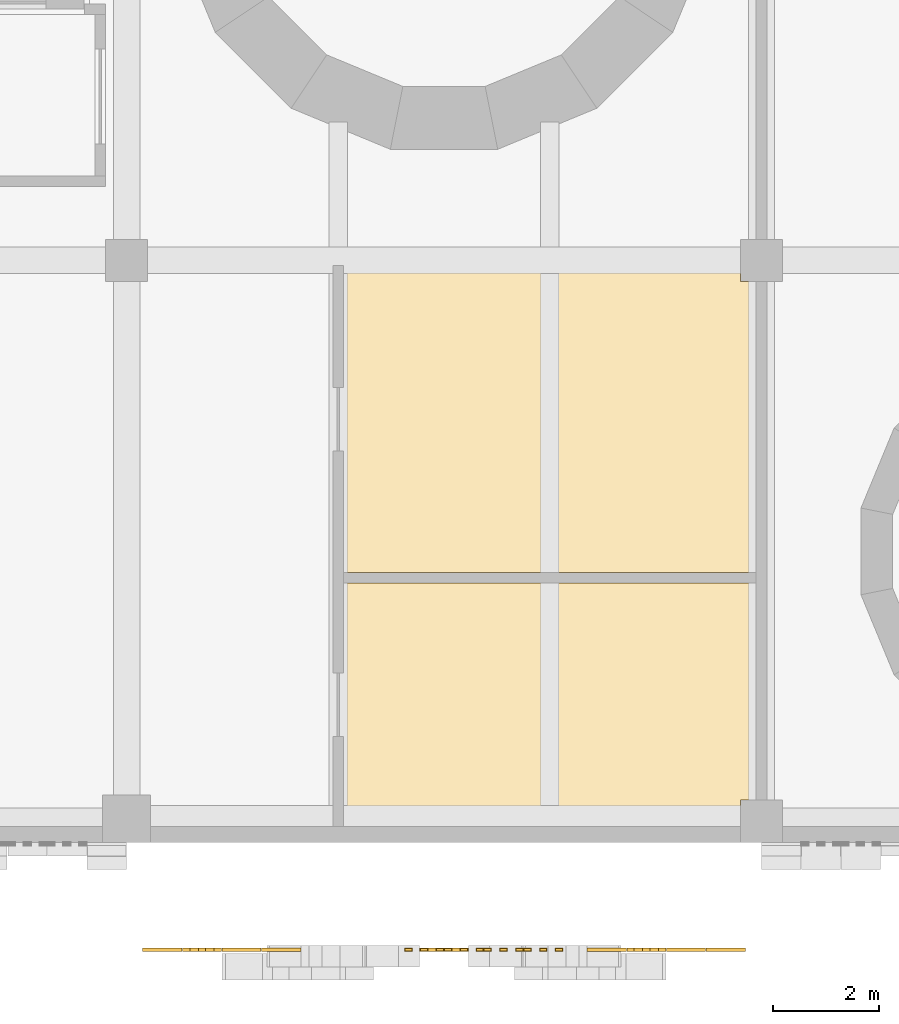
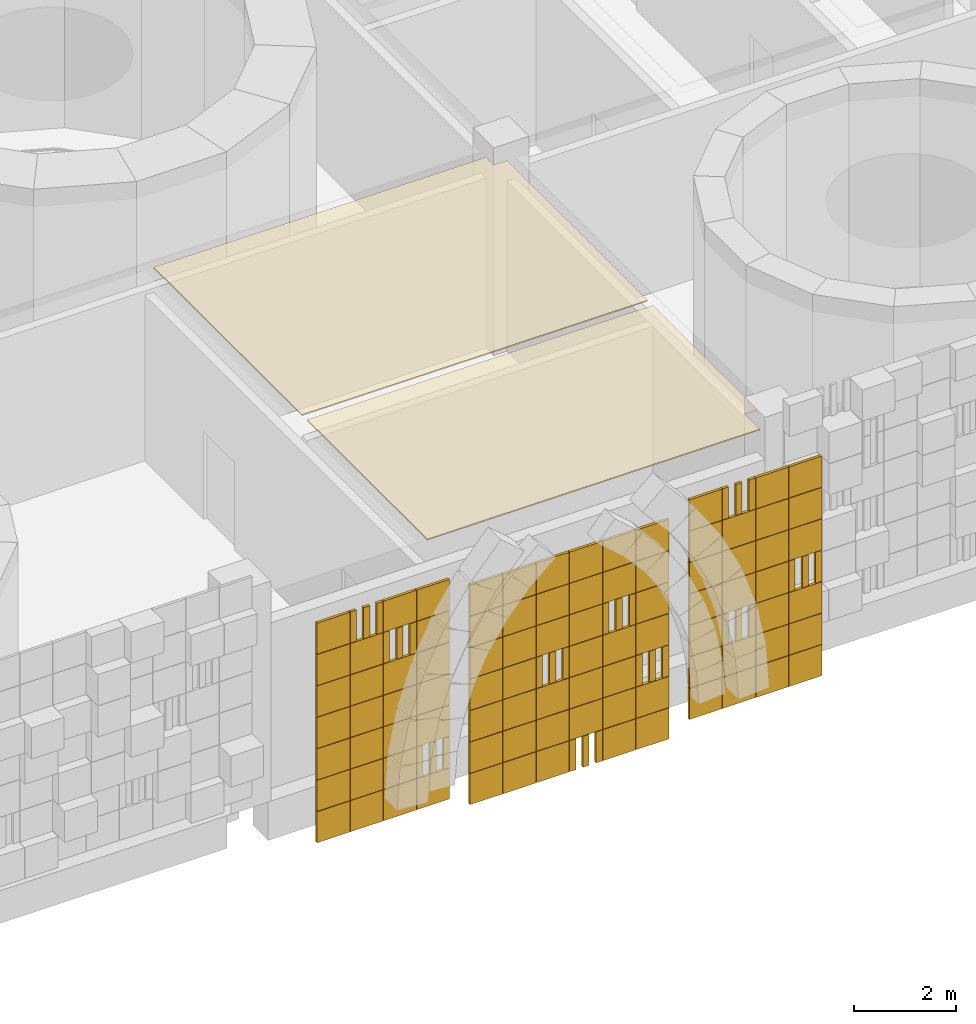
# One storey, part 96 of 125: 8 coverings.
"""IFC4 building model written with IfcOpenShell, lengths in metres."""

from ifc_helpers import new_model, si_unit, direction, frame, origin, origin_2d, place, context, subcontext, project, spatial, polyline, rectangle, outline, extrude, material, layer, layer_set, type_object, element, save


model = new_model("IFC4")

# Units and contexts
model_context = context("Model", 3, precision=1e-05, world=origin(), true_north=direction((0.0, 1.0)))
body_context = subcontext(model_context, "Body", "Model", "MODEL_VIEW")
ifc_project = project(units=[si_unit("LENGTHUNIT", "METRE"), si_unit("AREAUNIT", "SQUARE_METRE"), si_unit("VOLUMEUNIT", "CUBIC_METRE"), si_unit("PLANEANGLEUNIT", "RADIAN"), si_unit("MASSUNIT", "GRAM", prefix="KILO")], contexts=[model_context])

# Site, building, storey
site_placement = place(None, origin())
site = spatial("IfcSite", under=ifc_project, at=site_placement, CompositionType="ELEMENT")
building_placement = place(site_placement, origin())
building = spatial("IfcBuilding", under=site, at=building_placement, Name="Sun Court Science Centre", CompositionType="ELEMENT")
storey_placement = place(building_placement, frame((0.0, 0.0, 6.0)))
storey = spatial("IfcBuildingStorey", under=building, at=storey_placement, Name="L01", CompositionType="ELEMENT", Elevation=6.0)

# Coverings
ifc_material_1 = material(Name="Gypsum board")
ifc_layer_1 = layer(ifc_material_1, 0.030029296875)
ifc_layer_set_1 = layer_set([ifc_layer_1], Name="Gypsum board")
covering_type_1 = type_object("IfcCoveringType", Name="Ceiling suspended 600 module", PredefinedType="CEILING", material=ifc_layer_set_1)
covering_1_placement = place(storey_placement, frame((0.0, 0.0, 4.52001953125)))
element("IfcCovering", 1, at=covering_1_placement, inside=storey, type_object=covering_type_1, Name="L01-015 ceiling", PredefinedType="CEILING", context=body_context, shape_type="SweptSolid", body=[
    extrude(outline(polyline([(40.10009765625, 6.199951171875), (40.10009765625, 10.89990234375), (47.89990234375, 10.89990234375), (47.89990234375, 6.800048828125), (47.60009765625, 6.800048828125), (47.60009765625, 6.199951171875), (40.10009765625, 6.199951171875)])), origin(), (0.0, 0.0, 1.0), 0.030029296875),
])
covering_2_placement = place(storey_placement, frame((0.0, 0.0, 4.52001953125)))
element("IfcCovering", 2, at=covering_2_placement, inside=storey, type_object=covering_type_1, Name="L01-016 ceiling", PredefinedType="CEILING", context=body_context, shape_type="SweptSolid", body=[
    extrude(outline(polyline([(40.10009765625, 16.89990234375), (47.60009765625, 16.89990234375), (47.60009765625, 16.60009765625), (47.89990234375, 16.60009765625), (47.89990234375, 11.10009765625), (40.10009765625, 11.10009765625), (40.10009765625, 16.89990234375)])), origin(), (0.0, 0.0, 1.0), 0.030029296875),
])
ifc_material_2 = material(Name="Red sandstone", Category="masonry")
ifc_layer_2 = layer(ifc_material_2, 0.06005859375)
ifc_layer_set_2 = layer_set([ifc_layer_2], Name="Red sandstone")
covering_type_2 = type_object("IfcCoveringType", Name="Red sandstone jali relief 750", PredefinedType="CLADDING", material=ifc_layer_set_2)
covering_3_placement = place(storey_placement, frame((0.0, 0.0, -6.0)))
element("IfcCovering", 3, at=covering_3_placement, inside=storey, type_object=covering_type_2, Name="Red sandstone jali relief portal-PORTAL-L L01", PredefinedType="CLADDING", context=body_context, shape_type="SweptSolid", body=[
    extrude(rectangle(XDim=0.139892578125, YDim=0.06005859375, at=origin_2d()), frame((39.22509765625, 3.969970703125, 6.7548828125), z_axis=(0.0, 0.0, 1.0), x_axis=(-1.0, 0.0, 0.0)), (0.0, 0.0, 1.0), 0.739990234375),
    extrude(rectangle(XDim=0.139892578125, YDim=0.06005859375, at=origin_2d()), frame((38.925048828125, 3.969970703125, 6.7548828125), z_axis=(0.0, 0.0, 1.0), x_axis=(-1.0, 0.0, 0.0)), (0.0, 0.0, 1.0), 0.739990234375),
    extrude(rectangle(XDim=0.139892578125, YDim=0.06005859375, at=origin_2d()), frame((38.625, 3.969970703125, 6.7548828125), z_axis=(0.0, 0.0, 1.0), x_axis=(-1.0, 0.0, 0.0)), (0.0, 0.0, 1.0), 0.739990234375),
    extrude(rectangle(XDim=0.139892578125, YDim=0.06005859375, at=origin_2d()), frame((38.47509765625, 3.969970703125, 9.7548828125), z_axis=(0.0, 0.0, 1.0), x_axis=(-1.0, 0.0, 0.0)), (0.0, 0.0, 1.0), 0.739990234375),
    extrude(rectangle(XDim=0.139892578125, YDim=0.06005859375, at=origin_2d()), frame((38.175048828125, 3.969970703125, 9.7548828125), z_axis=(0.0, 0.0, 1.0), x_axis=(-1.0, 0.0, 0.0)), (0.0, 0.0, 1.0), 0.739990234375),
    extrude(rectangle(XDim=0.139892578125, YDim=0.06005859375, at=origin_2d()), frame((37.875, 3.969970703125, 9.7548828125), z_axis=(0.0, 0.0, 1.0), x_axis=(-1.0, 0.0, 0.0)), (0.0, 0.0, 1.0), 0.739990234375),
    extrude(rectangle(XDim=0.139892578125, YDim=0.06005859375, at=origin_2d()), frame((37.72509765625, 3.969970703125, 10.5048828125), z_axis=(0.0, 0.0, 1.0), x_axis=(-1.0, 0.0, 0.0)), (0.0, 0.0, 1.0), 0.739990234375),
    extrude(rectangle(XDim=0.139892578125, YDim=0.06005859375, at=origin_2d()), frame((37.425048828125, 3.969970703125, 10.5048828125), z_axis=(0.0, 0.0, 1.0), x_axis=(-1.0, 0.0, 0.0)), (0.0, 0.0, 1.0), 0.739990234375),
    extrude(rectangle(XDim=0.139892578125, YDim=0.06005859375, at=origin_2d()), frame((37.125, 3.969970703125, 10.5048828125), z_axis=(0.0, 0.0, 1.0), x_axis=(-1.0, 0.0, 0.0)), (0.0, 0.0, 1.0), 0.739990234375),
    extrude(rectangle(XDim=0.739990234375, YDim=0.06005859375, at=origin_2d()), frame((38.925048828125, 3.969970703125, 10.5048828125), z_axis=(0.0, 0.0, 1.0), x_axis=(-1.0, 0.0, 0.0)), (0.0, 0.0, 1.0), 0.739990234375),
    extrude(rectangle(XDim=0.739990234375, YDim=0.06005859375, at=origin_2d()), frame((38.175048828125, 3.969970703125, 10.5048828125), z_axis=(0.0, 0.0, 1.0), x_axis=(-1.0, 0.0, 0.0)), (0.0, 0.0, 1.0), 0.739990234375),
    extrude(rectangle(XDim=0.739990234375, YDim=0.06005859375, at=origin_2d()), frame((36.675048828125, 3.969970703125, 10.5048828125), z_axis=(0.0, 0.0, 1.0), x_axis=(-1.0, 0.0, 0.0)), (0.0, 0.0, 1.0), 0.739990234375),
])
covering_4_placement = place(storey_placement, frame((0.0, 0.0, -6.0)))
element("IfcCovering", 4, at=covering_4_placement, inside=storey, type_object=covering_type_2, Name="Red sandstone jali relief portal-PORTAL-R L01", PredefinedType="CLADDING", context=body_context, shape_type="SweptSolid", body=[
    extrude(rectangle(XDim=0.139892578125, YDim=0.06005859375, at=origin_2d()), frame((46.125, 3.969970703125, 7.5048828125), z_axis=(0.0, 0.0, 1.0), x_axis=(-1.0, 0.0, 0.0)), (0.0, 0.0, 1.0), 0.739990234375),
    extrude(rectangle(XDim=0.139892578125, YDim=0.06005859375, at=origin_2d()), frame((45.824951171875, 3.969970703125, 7.5048828125), z_axis=(0.0, 0.0, 1.0), x_axis=(-1.0, 0.0, 0.0)), (0.0, 0.0, 1.0), 0.739990234375),
    extrude(rectangle(XDim=0.139892578125, YDim=0.06005859375, at=origin_2d()), frame((45.52490234375, 3.969970703125, 7.5048828125), z_axis=(0.0, 0.0, 1.0), x_axis=(-1.0, 0.0, 0.0)), (0.0, 0.0, 1.0), 0.739990234375),
    extrude(rectangle(XDim=0.139892578125, YDim=0.06005859375, at=origin_2d()), frame((47.625, 3.969970703125, 8.2548828125), z_axis=(0.0, 0.0, 1.0), x_axis=(-1.0, 0.0, 0.0)), (0.0, 0.0, 1.0), 0.739990234375),
    extrude(rectangle(XDim=0.139892578125, YDim=0.06005859375, at=origin_2d()), frame((47.324951171875, 3.969970703125, 8.2548828125), z_axis=(0.0, 0.0, 1.0), x_axis=(-1.0, 0.0, 0.0)), (0.0, 0.0, 1.0), 0.739990234375),
    extrude(rectangle(XDim=0.139892578125, YDim=0.06005859375, at=origin_2d()), frame((47.02490234375, 3.969970703125, 8.2548828125), z_axis=(0.0, 0.0, 1.0), x_axis=(-1.0, 0.0, 0.0)), (0.0, 0.0, 1.0), 0.739990234375),
    extrude(rectangle(XDim=0.139892578125, YDim=0.06005859375, at=origin_2d()), frame((46.125, 3.969970703125, 10.5048828125), z_axis=(0.0, 0.0, 1.0), x_axis=(-1.0, 0.0, 0.0)), (0.0, 0.0, 1.0), 0.739990234375),
    extrude(rectangle(XDim=0.139892578125, YDim=0.06005859375, at=origin_2d()), frame((45.824951171875, 3.969970703125, 10.5048828125), z_axis=(0.0, 0.0, 1.0), x_axis=(-1.0, 0.0, 0.0)), (0.0, 0.0, 1.0), 0.739990234375),
    extrude(rectangle(XDim=0.139892578125, YDim=0.06005859375, at=origin_2d()), frame((45.52490234375, 3.969970703125, 10.5048828125), z_axis=(0.0, 0.0, 1.0), x_axis=(-1.0, 0.0, 0.0)), (0.0, 0.0, 1.0), 0.739990234375),
    extrude(rectangle(XDim=0.739990234375, YDim=0.06005859375, at=origin_2d()), frame((47.324951171875, 3.969970703125, 10.5048828125), z_axis=(0.0, 0.0, 1.0), x_axis=(-1.0, 0.0, 0.0)), (0.0, 0.0, 1.0), 0.739990234375),
    extrude(rectangle(XDim=0.739990234375, YDim=0.06005859375, at=origin_2d()), frame((46.574951171875, 3.969970703125, 10.5048828125), z_axis=(0.0, 0.0, 1.0), x_axis=(-1.0, 0.0, 0.0)), (0.0, 0.0, 1.0), 0.739990234375),
    extrude(rectangle(XDim=0.739990234375, YDim=0.06005859375, at=origin_2d()), frame((45.074951171875, 3.969970703125, 10.5048828125), z_axis=(0.0, 0.0, 1.0), x_axis=(-1.0, 0.0, 0.0)), (0.0, 0.0, 1.0), 0.739990234375),
])
covering_5_placement = place(storey_placement, frame((0.0, 0.0, -6.0)))
element("IfcCovering", 5, at=covering_5_placement, inside=storey, type_object=covering_type_2, Name="Red sandstone jali relief portal-PORTAL-H L01", PredefinedType="CLADDING", context=body_context, shape_type="SweptSolid", body=[
    extrude(rectangle(XDim=0.139892578125, YDim=0.06005859375, at=origin_2d()), frame((42.675048828125, 3.969970703125, 5.705078125), z_axis=(0.0, 0.0, 1.0), x_axis=(-1.0, 0.0, 0.0)), (0.0, 0.0, 1.0), 0.739990234375),
    extrude(rectangle(XDim=0.139892578125, YDim=0.06005859375, at=origin_2d()), frame((42.375, 3.969970703125, 5.705078125), z_axis=(0.0, 0.0, 1.0), x_axis=(-1.0, 0.0, 0.0)), (0.0, 0.0, 1.0), 0.739990234375),
    extrude(rectangle(XDim=0.139892578125, YDim=0.06005859375, at=origin_2d()), frame((42.074951171875, 3.969970703125, 5.705078125), z_axis=(0.0, 0.0, 1.0), x_axis=(-1.0, 0.0, 0.0)), (0.0, 0.0, 1.0), 0.739990234375),
    extrude(rectangle(XDim=0.139892578125, YDim=0.06005859375, at=origin_2d()), frame((44.175048828125, 3.969970703125, 7.205078125), z_axis=(0.0, 0.0, 1.0), x_axis=(-1.0, 0.0, 0.0)), (0.0, 0.0, 1.0), 0.739990234375),
    extrude(rectangle(XDim=0.139892578125, YDim=0.06005859375, at=origin_2d()), frame((43.875, 3.969970703125, 7.205078125), z_axis=(0.0, 0.0, 1.0), x_axis=(-1.0, 0.0, 0.0)), (0.0, 0.0, 1.0), 0.739990234375),
    extrude(rectangle(XDim=0.139892578125, YDim=0.06005859375, at=origin_2d()), frame((43.574951171875, 3.969970703125, 7.205078125), z_axis=(0.0, 0.0, 1.0), x_axis=(-1.0, 0.0, 0.0)), (0.0, 0.0, 1.0), 0.739990234375),
    extrude(rectangle(XDim=0.139892578125, YDim=0.06005859375, at=origin_2d()), frame((41.925048828125, 3.969970703125, 7.955078125), z_axis=(0.0, 0.0, 1.0), x_axis=(-1.0, 0.0, 0.0)), (0.0, 0.0, 1.0), 0.739990234375),
    extrude(rectangle(XDim=0.139892578125, YDim=0.06005859375, at=origin_2d()), frame((41.625, 3.969970703125, 7.955078125), z_axis=(0.0, 0.0, 1.0), x_axis=(-1.0, 0.0, 0.0)), (0.0, 0.0, 1.0), 0.739990234375),
    extrude(rectangle(XDim=0.139892578125, YDim=0.06005859375, at=origin_2d()), frame((41.324951171875, 3.969970703125, 7.955078125), z_axis=(0.0, 0.0, 1.0), x_axis=(-1.0, 0.0, 0.0)), (0.0, 0.0, 1.0), 0.739990234375),
    extrude(rectangle(XDim=0.139892578125, YDim=0.06005859375, at=origin_2d()), frame((43.425048828125, 3.969970703125, 8.705078125), z_axis=(0.0, 0.0, 1.0), x_axis=(-1.0, 0.0, 0.0)), (0.0, 0.0, 1.0), 0.739990234375),
    extrude(rectangle(XDim=0.139892578125, YDim=0.06005859375, at=origin_2d()), frame((43.125, 3.969970703125, 8.705078125), z_axis=(0.0, 0.0, 1.0), x_axis=(-1.0, 0.0, 0.0)), (0.0, 0.0, 1.0), 0.739990234375),
    extrude(rectangle(XDim=0.139892578125, YDim=0.06005859375, at=origin_2d()), frame((42.824951171875, 3.969970703125, 8.705078125), z_axis=(0.0, 0.0, 1.0), x_axis=(-1.0, 0.0, 0.0)), (0.0, 0.0, 1.0), 0.739990234375),
])
ifc_material_3 = material(Name="Red sandstone", Category="masonry")
ifc_layer_3 = layer(ifc_material_3, 0.06005859375)
ifc_layer_set_3 = layer_set([ifc_layer_3], Name="Red sandstone")
covering_type_3 = type_object("IfcCoveringType", Name="Red sandstone wall cladding 750", PredefinedType="CLADDING", material=ifc_layer_set_3)
covering_6_placement = place(storey_placement, frame((0.0, 0.0, -6.0)))
element("IfcCovering", 6, at=covering_6_placement, inside=storey, type_object=covering_type_3, Name="Red sandstone wall cladding portal-PORTAL-L L01", PredefinedType="CLADDING", context=body_context, shape_type="SweptSolid", body=[
    extrude(rectangle(XDim=0.739990234375, YDim=0.06005859375, at=origin_2d()), frame((38.925048828125, 3.969970703125, 6.0048828125), z_axis=(0.0, 0.0, 1.0), x_axis=(-1.0, 0.0, 0.0)), (0.0, 0.0, 1.0), 0.739990234375),
    extrude(rectangle(XDim=0.739990234375, YDim=0.06005859375, at=origin_2d()), frame((38.175048828125, 3.969970703125, 6.0048828125), z_axis=(0.0, 0.0, 1.0), x_axis=(-1.0, 0.0, 0.0)), (0.0, 0.0, 1.0), 0.739990234375),
    extrude(rectangle(XDim=0.739990234375, YDim=0.06005859375, at=origin_2d()), frame((37.425048828125, 3.969970703125, 6.0048828125), z_axis=(0.0, 0.0, 1.0), x_axis=(-1.0, 0.0, 0.0)), (0.0, 0.0, 1.0), 0.739990234375),
    extrude(rectangle(XDim=0.739990234375, YDim=0.06005859375, at=origin_2d()), frame((36.675048828125, 3.969970703125, 6.0048828125), z_axis=(0.0, 0.0, 1.0), x_axis=(-1.0, 0.0, 0.0)), (0.0, 0.0, 1.0), 0.739990234375),
    extrude(rectangle(XDim=0.739990234375, YDim=0.06005859375, at=origin_2d()), frame((38.175048828125, 3.969970703125, 6.7548828125), z_axis=(0.0, 0.0, 1.0), x_axis=(-1.0, 0.0, 0.0)), (0.0, 0.0, 1.0), 0.739990234375),
    extrude(rectangle(XDim=0.739990234375, YDim=0.06005859375, at=origin_2d()), frame((37.425048828125, 3.969970703125, 6.7548828125), z_axis=(0.0, 0.0, 1.0), x_axis=(-1.0, 0.0, 0.0)), (0.0, 0.0, 1.0), 0.739990234375),
    extrude(rectangle(XDim=0.739990234375, YDim=0.06005859375, at=origin_2d()), frame((36.675048828125, 3.969970703125, 6.7548828125), z_axis=(0.0, 0.0, 1.0), x_axis=(-1.0, 0.0, 0.0)), (0.0, 0.0, 1.0), 0.739990234375),
    extrude(rectangle(XDim=0.739990234375, YDim=0.06005859375, at=origin_2d()), frame((38.925048828125, 3.969970703125, 7.5048828125), z_axis=(0.0, 0.0, 1.0), x_axis=(-1.0, 0.0, 0.0)), (0.0, 0.0, 1.0), 0.739990234375),
    extrude(rectangle(XDim=0.739990234375, YDim=0.06005859375, at=origin_2d()), frame((38.175048828125, 3.969970703125, 7.5048828125), z_axis=(0.0, 0.0, 1.0), x_axis=(-1.0, 0.0, 0.0)), (0.0, 0.0, 1.0), 0.739990234375),
    extrude(rectangle(XDim=0.739990234375, YDim=0.06005859375, at=origin_2d()), frame((37.425048828125, 3.969970703125, 7.5048828125), z_axis=(0.0, 0.0, 1.0), x_axis=(-1.0, 0.0, 0.0)), (0.0, 0.0, 1.0), 0.739990234375),
    extrude(rectangle(XDim=0.739990234375, YDim=0.06005859375, at=origin_2d()), frame((36.675048828125, 3.969970703125, 7.5048828125), z_axis=(0.0, 0.0, 1.0), x_axis=(-1.0, 0.0, 0.0)), (0.0, 0.0, 1.0), 0.739990234375),
    extrude(rectangle(XDim=0.739990234375, YDim=0.06005859375, at=origin_2d()), frame((38.925048828125, 3.969970703125, 8.2548828125), z_axis=(0.0, 0.0, 1.0), x_axis=(-1.0, 0.0, 0.0)), (0.0, 0.0, 1.0), 0.739990234375),
    extrude(rectangle(XDim=0.739990234375, YDim=0.06005859375, at=origin_2d()), frame((38.175048828125, 3.969970703125, 8.2548828125), z_axis=(0.0, 0.0, 1.0), x_axis=(-1.0, 0.0, 0.0)), (0.0, 0.0, 1.0), 0.739990234375),
    extrude(rectangle(XDim=0.739990234375, YDim=0.06005859375, at=origin_2d()), frame((37.425048828125, 3.969970703125, 8.2548828125), z_axis=(0.0, 0.0, 1.0), x_axis=(-1.0, 0.0, 0.0)), (0.0, 0.0, 1.0), 0.739990234375),
    extrude(rectangle(XDim=0.739990234375, YDim=0.06005859375, at=origin_2d()), frame((36.675048828125, 3.969970703125, 8.2548828125), z_axis=(0.0, 0.0, 1.0), x_axis=(-1.0, 0.0, 0.0)), (0.0, 0.0, 1.0), 0.739990234375),
    extrude(rectangle(XDim=0.739990234375, YDim=0.06005859375, at=origin_2d()), frame((38.925048828125, 3.969970703125, 9.0048828125), z_axis=(0.0, 0.0, 1.0), x_axis=(-1.0, 0.0, 0.0)), (0.0, 0.0, 1.0), 0.739990234375),
    extrude(rectangle(XDim=0.739990234375, YDim=0.06005859375, at=origin_2d()), frame((38.175048828125, 3.969970703125, 9.0048828125), z_axis=(0.0, 0.0, 1.0), x_axis=(-1.0, 0.0, 0.0)), (0.0, 0.0, 1.0), 0.739990234375),
    extrude(rectangle(XDim=0.739990234375, YDim=0.06005859375, at=origin_2d()), frame((37.425048828125, 3.969970703125, 9.0048828125), z_axis=(0.0, 0.0, 1.0), x_axis=(-1.0, 0.0, 0.0)), (0.0, 0.0, 1.0), 0.739990234375),
    extrude(rectangle(XDim=0.739990234375, YDim=0.06005859375, at=origin_2d()), frame((36.675048828125, 3.969970703125, 9.0048828125), z_axis=(0.0, 0.0, 1.0), x_axis=(-1.0, 0.0, 0.0)), (0.0, 0.0, 1.0), 0.739990234375),
    extrude(rectangle(XDim=0.739990234375, YDim=0.06005859375, at=origin_2d()), frame((38.925048828125, 3.969970703125, 9.7548828125), z_axis=(0.0, 0.0, 1.0), x_axis=(-1.0, 0.0, 0.0)), (0.0, 0.0, 1.0), 0.739990234375),
    extrude(rectangle(XDim=0.739990234375, YDim=0.06005859375, at=origin_2d()), frame((37.425048828125, 3.969970703125, 9.7548828125), z_axis=(0.0, 0.0, 1.0), x_axis=(-1.0, 0.0, 0.0)), (0.0, 0.0, 1.0), 0.739990234375),
    extrude(rectangle(XDim=0.739990234375, YDim=0.06005859375, at=origin_2d()), frame((36.675048828125, 3.969970703125, 9.7548828125), z_axis=(0.0, 0.0, 1.0), x_axis=(-1.0, 0.0, 0.0)), (0.0, 0.0, 1.0), 0.739990234375),
])
covering_7_placement = place(storey_placement, frame((0.0, 0.0, -6.0)))
element("IfcCovering", 7, at=covering_7_placement, inside=storey, type_object=covering_type_3, Name="Red sandstone wall cladding portal-PORTAL-R L01", PredefinedType="CLADDING", context=body_context, shape_type="SweptSolid", body=[
    extrude(rectangle(XDim=0.739990234375, YDim=0.06005859375, at=origin_2d()), frame((47.324951171875, 3.969970703125, 6.0048828125), z_axis=(0.0, 0.0, 1.0), x_axis=(-1.0, 0.0, 0.0)), (0.0, 0.0, 1.0), 0.739990234375),
    extrude(rectangle(XDim=0.739990234375, YDim=0.06005859375, at=origin_2d()), frame((46.574951171875, 3.969970703125, 6.0048828125), z_axis=(0.0, 0.0, 1.0), x_axis=(-1.0, 0.0, 0.0)), (0.0, 0.0, 1.0), 0.739990234375),
    extrude(rectangle(XDim=0.739990234375, YDim=0.06005859375, at=origin_2d()), frame((45.824951171875, 3.969970703125, 6.0048828125), z_axis=(0.0, 0.0, 1.0), x_axis=(-1.0, 0.0, 0.0)), (0.0, 0.0, 1.0), 0.739990234375),
    extrude(rectangle(XDim=0.739990234375, YDim=0.06005859375, at=origin_2d()), frame((45.074951171875, 3.969970703125, 6.0048828125), z_axis=(0.0, 0.0, 1.0), x_axis=(-1.0, 0.0, 0.0)), (0.0, 0.0, 1.0), 0.739990234375),
    extrude(rectangle(XDim=0.739990234375, YDim=0.06005859375, at=origin_2d()), frame((47.324951171875, 3.969970703125, 6.7548828125), z_axis=(0.0, 0.0, 1.0), x_axis=(-1.0, 0.0, 0.0)), (0.0, 0.0, 1.0), 0.739990234375),
    extrude(rectangle(XDim=0.739990234375, YDim=0.06005859375, at=origin_2d()), frame((46.574951171875, 3.969970703125, 6.7548828125), z_axis=(0.0, 0.0, 1.0), x_axis=(-1.0, 0.0, 0.0)), (0.0, 0.0, 1.0), 0.739990234375),
    extrude(rectangle(XDim=0.739990234375, YDim=0.06005859375, at=origin_2d()), frame((45.824951171875, 3.969970703125, 6.7548828125), z_axis=(0.0, 0.0, 1.0), x_axis=(-1.0, 0.0, 0.0)), (0.0, 0.0, 1.0), 0.739990234375),
    extrude(rectangle(XDim=0.739990234375, YDim=0.06005859375, at=origin_2d()), frame((45.074951171875, 3.969970703125, 6.7548828125), z_axis=(0.0, 0.0, 1.0), x_axis=(-1.0, 0.0, 0.0)), (0.0, 0.0, 1.0), 0.739990234375),
    extrude(rectangle(XDim=0.739990234375, YDim=0.06005859375, at=origin_2d()), frame((47.324951171875, 3.969970703125, 7.5048828125), z_axis=(0.0, 0.0, 1.0), x_axis=(-1.0, 0.0, 0.0)), (0.0, 0.0, 1.0), 0.739990234375),
    extrude(rectangle(XDim=0.739990234375, YDim=0.06005859375, at=origin_2d()), frame((46.574951171875, 3.969970703125, 7.5048828125), z_axis=(0.0, 0.0, 1.0), x_axis=(-1.0, 0.0, 0.0)), (0.0, 0.0, 1.0), 0.739990234375),
    extrude(rectangle(XDim=0.739990234375, YDim=0.06005859375, at=origin_2d()), frame((45.074951171875, 3.969970703125, 7.5048828125), z_axis=(0.0, 0.0, 1.0), x_axis=(-1.0, 0.0, 0.0)), (0.0, 0.0, 1.0), 0.739990234375),
    extrude(rectangle(XDim=0.739990234375, YDim=0.06005859375, at=origin_2d()), frame((46.574951171875, 3.969970703125, 8.2548828125), z_axis=(0.0, 0.0, 1.0), x_axis=(-1.0, 0.0, 0.0)), (0.0, 0.0, 1.0), 0.739990234375),
    extrude(rectangle(XDim=0.739990234375, YDim=0.06005859375, at=origin_2d()), frame((45.824951171875, 3.969970703125, 8.2548828125), z_axis=(0.0, 0.0, 1.0), x_axis=(-1.0, 0.0, 0.0)), (0.0, 0.0, 1.0), 0.739990234375),
    extrude(rectangle(XDim=0.739990234375, YDim=0.06005859375, at=origin_2d()), frame((45.074951171875, 3.969970703125, 8.2548828125), z_axis=(0.0, 0.0, 1.0), x_axis=(-1.0, 0.0, 0.0)), (0.0, 0.0, 1.0), 0.739990234375),
    extrude(rectangle(XDim=0.739990234375, YDim=0.06005859375, at=origin_2d()), frame((47.324951171875, 3.969970703125, 9.0048828125), z_axis=(0.0, 0.0, 1.0), x_axis=(-1.0, 0.0, 0.0)), (0.0, 0.0, 1.0), 0.739990234375),
    extrude(rectangle(XDim=0.739990234375, YDim=0.06005859375, at=origin_2d()), frame((46.574951171875, 3.969970703125, 9.0048828125), z_axis=(0.0, 0.0, 1.0), x_axis=(-1.0, 0.0, 0.0)), (0.0, 0.0, 1.0), 0.739990234375),
    extrude(rectangle(XDim=0.739990234375, YDim=0.06005859375, at=origin_2d()), frame((45.824951171875, 3.969970703125, 9.0048828125), z_axis=(0.0, 0.0, 1.0), x_axis=(-1.0, 0.0, 0.0)), (0.0, 0.0, 1.0), 0.739990234375),
    extrude(rectangle(XDim=0.739990234375, YDim=0.06005859375, at=origin_2d()), frame((45.074951171875, 3.969970703125, 9.0048828125), z_axis=(0.0, 0.0, 1.0), x_axis=(-1.0, 0.0, 0.0)), (0.0, 0.0, 1.0), 0.739990234375),
    extrude(rectangle(XDim=0.739990234375, YDim=0.06005859375, at=origin_2d()), frame((47.324951171875, 3.969970703125, 9.7548828125), z_axis=(0.0, 0.0, 1.0), x_axis=(-1.0, 0.0, 0.0)), (0.0, 0.0, 1.0), 0.739990234375),
    extrude(rectangle(XDim=0.739990234375, YDim=0.06005859375, at=origin_2d()), frame((46.574951171875, 3.969970703125, 9.7548828125), z_axis=(0.0, 0.0, 1.0), x_axis=(-1.0, 0.0, 0.0)), (0.0, 0.0, 1.0), 0.739990234375),
    extrude(rectangle(XDim=0.739990234375, YDim=0.06005859375, at=origin_2d()), frame((45.824951171875, 3.969970703125, 9.7548828125), z_axis=(0.0, 0.0, 1.0), x_axis=(-1.0, 0.0, 0.0)), (0.0, 0.0, 1.0), 0.739990234375),
    extrude(rectangle(XDim=0.739990234375, YDim=0.06005859375, at=origin_2d()), frame((45.074951171875, 3.969970703125, 9.7548828125), z_axis=(0.0, 0.0, 1.0), x_axis=(-1.0, 0.0, 0.0)), (0.0, 0.0, 1.0), 0.739990234375),
])
covering_8_placement = place(storey_placement, frame((0.0, 0.0, -6.0)))
element("IfcCovering", 8, at=covering_8_placement, inside=storey, type_object=covering_type_3, Name="Red sandstone wall cladding portal-PORTAL-H L01", PredefinedType="CLADDING", context=body_context, shape_type="SweptSolid", body=[
    extrude(rectangle(XDim=0.739990234375, YDim=0.06005859375, at=origin_2d()), frame((43.875, 3.969970703125, 5.705078125), z_axis=(0.0, 0.0, 1.0), x_axis=(-1.0, 0.0, 0.0)), (0.0, 0.0, 1.0), 0.739990234375),
    extrude(rectangle(XDim=0.739990234375, YDim=0.06005859375, at=origin_2d()), frame((43.125, 3.969970703125, 5.705078125), z_axis=(0.0, 0.0, 1.0), x_axis=(-1.0, 0.0, 0.0)), (0.0, 0.0, 1.0), 0.739990234375),
    extrude(rectangle(XDim=0.739990234375, YDim=0.06005859375, at=origin_2d()), frame((41.625, 3.969970703125, 5.705078125), z_axis=(0.0, 0.0, 1.0), x_axis=(-1.0, 0.0, 0.0)), (0.0, 0.0, 1.0), 0.739990234375),
    extrude(rectangle(XDim=0.739990234375, YDim=0.06005859375, at=origin_2d()), frame((40.875, 3.969970703125, 5.705078125), z_axis=(0.0, 0.0, 1.0), x_axis=(-1.0, 0.0, 0.0)), (0.0, 0.0, 1.0), 0.739990234375),
    extrude(rectangle(XDim=0.739990234375, YDim=0.06005859375, at=origin_2d()), frame((40.125, 3.969970703125, 5.705078125), z_axis=(0.0, 0.0, 1.0), x_axis=(-1.0, 0.0, 0.0)), (0.0, 0.0, 1.0), 0.739990234375),
    extrude(rectangle(XDim=0.739990234375, YDim=0.06005859375, at=origin_2d()), frame((43.875, 3.969970703125, 6.455078125), z_axis=(0.0, 0.0, 1.0), x_axis=(-1.0, 0.0, 0.0)), (0.0, 0.0, 1.0), 0.739990234375),
    extrude(rectangle(XDim=0.739990234375, YDim=0.06005859375, at=origin_2d()), frame((43.125, 3.969970703125, 6.455078125), z_axis=(0.0, 0.0, 1.0), x_axis=(-1.0, 0.0, 0.0)), (0.0, 0.0, 1.0), 0.739990234375),
    extrude(rectangle(XDim=0.739990234375, YDim=0.06005859375, at=origin_2d()), frame((42.375, 3.969970703125, 6.455078125), z_axis=(0.0, 0.0, 1.0), x_axis=(-1.0, 0.0, 0.0)), (0.0, 0.0, 1.0), 0.739990234375),
    extrude(rectangle(XDim=0.739990234375, YDim=0.06005859375, at=origin_2d()), frame((41.625, 3.969970703125, 6.455078125), z_axis=(0.0, 0.0, 1.0), x_axis=(-1.0, 0.0, 0.0)), (0.0, 0.0, 1.0), 0.739990234375),
    extrude(rectangle(XDim=0.739990234375, YDim=0.06005859375, at=origin_2d()), frame((40.875, 3.969970703125, 6.455078125), z_axis=(0.0, 0.0, 1.0), x_axis=(-1.0, 0.0, 0.0)), (0.0, 0.0, 1.0), 0.739990234375),
    extrude(rectangle(XDim=0.739990234375, YDim=0.06005859375, at=origin_2d()), frame((40.125, 3.969970703125, 6.455078125), z_axis=(0.0, 0.0, 1.0), x_axis=(-1.0, 0.0, 0.0)), (0.0, 0.0, 1.0), 0.739990234375),
    extrude(rectangle(XDim=0.739990234375, YDim=0.06005859375, at=origin_2d()), frame((43.125, 3.969970703125, 7.205078125), z_axis=(0.0, 0.0, 1.0), x_axis=(-1.0, 0.0, 0.0)), (0.0, 0.0, 1.0), 0.739990234375),
    extrude(rectangle(XDim=0.739990234375, YDim=0.06005859375, at=origin_2d()), frame((42.375, 3.969970703125, 7.205078125), z_axis=(0.0, 0.0, 1.0), x_axis=(-1.0, 0.0, 0.0)), (0.0, 0.0, 1.0), 0.739990234375),
    extrude(rectangle(XDim=0.739990234375, YDim=0.06005859375, at=origin_2d()), frame((41.625, 3.969970703125, 7.205078125), z_axis=(0.0, 0.0, 1.0), x_axis=(-1.0, 0.0, 0.0)), (0.0, 0.0, 1.0), 0.739990234375),
    extrude(rectangle(XDim=0.739990234375, YDim=0.06005859375, at=origin_2d()), frame((40.875, 3.969970703125, 7.205078125), z_axis=(0.0, 0.0, 1.0), x_axis=(-1.0, 0.0, 0.0)), (0.0, 0.0, 1.0), 0.739990234375),
    extrude(rectangle(XDim=0.739990234375, YDim=0.06005859375, at=origin_2d()), frame((40.125, 3.969970703125, 7.205078125), z_axis=(0.0, 0.0, 1.0), x_axis=(-1.0, 0.0, 0.0)), (0.0, 0.0, 1.0), 0.739990234375),
    extrude(rectangle(XDim=0.739990234375, YDim=0.06005859375, at=origin_2d()), frame((43.875, 3.969970703125, 7.955078125), z_axis=(0.0, 0.0, 1.0), x_axis=(-1.0, 0.0, 0.0)), (0.0, 0.0, 1.0), 0.739990234375),
    extrude(rectangle(XDim=0.739990234375, YDim=0.06005859375, at=origin_2d()), frame((43.125, 3.969970703125, 7.955078125), z_axis=(0.0, 0.0, 1.0), x_axis=(-1.0, 0.0, 0.0)), (0.0, 0.0, 1.0), 0.739990234375),
    extrude(rectangle(XDim=0.739990234375, YDim=0.06005859375, at=origin_2d()), frame((42.375, 3.969970703125, 7.955078125), z_axis=(0.0, 0.0, 1.0), x_axis=(-1.0, 0.0, 0.0)), (0.0, 0.0, 1.0), 0.739990234375),
    extrude(rectangle(XDim=0.739990234375, YDim=0.06005859375, at=origin_2d()), frame((40.875, 3.969970703125, 7.955078125), z_axis=(0.0, 0.0, 1.0), x_axis=(-1.0, 0.0, 0.0)), (0.0, 0.0, 1.0), 0.739990234375),
    extrude(rectangle(XDim=0.739990234375, YDim=0.06005859375, at=origin_2d()), frame((40.125, 3.969970703125, 7.955078125), z_axis=(0.0, 0.0, 1.0), x_axis=(-1.0, 0.0, 0.0)), (0.0, 0.0, 1.0), 0.739990234375),
    extrude(rectangle(XDim=0.739990234375, YDim=0.06005859375, at=origin_2d()), frame((43.875, 3.969970703125, 8.705078125), z_axis=(0.0, 0.0, 1.0), x_axis=(-1.0, 0.0, 0.0)), (0.0, 0.0, 1.0), 0.739990234375),
    extrude(rectangle(XDim=0.739990234375, YDim=0.06005859375, at=origin_2d()), frame((42.375, 3.969970703125, 8.705078125), z_axis=(0.0, 0.0, 1.0), x_axis=(-1.0, 0.0, 0.0)), (0.0, 0.0, 1.0), 0.739990234375),
    extrude(rectangle(XDim=0.739990234375, YDim=0.06005859375, at=origin_2d()), frame((41.625, 3.969970703125, 8.705078125), z_axis=(0.0, 0.0, 1.0), x_axis=(-1.0, 0.0, 0.0)), (0.0, 0.0, 1.0), 0.739990234375),
    extrude(rectangle(XDim=0.739990234375, YDim=0.06005859375, at=origin_2d()), frame((40.875, 3.969970703125, 8.705078125), z_axis=(0.0, 0.0, 1.0), x_axis=(-1.0, 0.0, 0.0)), (0.0, 0.0, 1.0), 0.739990234375),
    extrude(rectangle(XDim=0.739990234375, YDim=0.06005859375, at=origin_2d()), frame((40.125, 3.969970703125, 8.705078125), z_axis=(0.0, 0.0, 1.0), x_axis=(-1.0, 0.0, 0.0)), (0.0, 0.0, 1.0), 0.739990234375),
    extrude(rectangle(XDim=0.739990234375, YDim=0.06005859375, at=origin_2d()), frame((43.875, 3.969970703125, 9.455078125), z_axis=(0.0, 0.0, 1.0), x_axis=(-1.0, 0.0, 0.0)), (0.0, 0.0, 1.0), 0.739990234375),
    extrude(rectangle(XDim=0.739990234375, YDim=0.06005859375, at=origin_2d()), frame((43.125, 3.969970703125, 9.455078125), z_axis=(0.0, 0.0, 1.0), x_axis=(-1.0, 0.0, 0.0)), (0.0, 0.0, 1.0), 0.739990234375),
    extrude(rectangle(XDim=0.739990234375, YDim=0.06005859375, at=origin_2d()), frame((42.375, 3.969970703125, 9.455078125), z_axis=(0.0, 0.0, 1.0), x_axis=(-1.0, 0.0, 0.0)), (0.0, 0.0, 1.0), 0.739990234375),
    extrude(rectangle(XDim=0.739990234375, YDim=0.06005859375, at=origin_2d()), frame((41.625, 3.969970703125, 9.455078125), z_axis=(0.0, 0.0, 1.0), x_axis=(-1.0, 0.0, 0.0)), (0.0, 0.0, 1.0), 0.739990234375),
    extrude(rectangle(XDim=0.739990234375, YDim=0.06005859375, at=origin_2d()), frame((40.875, 3.969970703125, 9.455078125), z_axis=(0.0, 0.0, 1.0), x_axis=(-1.0, 0.0, 0.0)), (0.0, 0.0, 1.0), 0.739990234375),
    extrude(rectangle(XDim=0.739990234375, YDim=0.06005859375, at=origin_2d()), frame((40.125, 3.969970703125, 9.455078125), z_axis=(0.0, 0.0, 1.0), x_axis=(-1.0, 0.0, 0.0)), (0.0, 0.0, 1.0), 0.739990234375),
    extrude(rectangle(XDim=0.739990234375, YDim=0.06005859375, at=origin_2d()), frame((43.875, 3.969970703125, 10.205078125), z_axis=(0.0, 0.0, 1.0), x_axis=(-1.0, 0.0, 0.0)), (0.0, 0.0, 1.0), 0.739990234375),
    extrude(rectangle(XDim=0.739990234375, YDim=0.06005859375, at=origin_2d()), frame((43.125, 3.969970703125, 10.205078125), z_axis=(0.0, 0.0, 1.0), x_axis=(-1.0, 0.0, 0.0)), (0.0, 0.0, 1.0), 0.739990234375),
    extrude(rectangle(XDim=0.739990234375, YDim=0.06005859375, at=origin_2d()), frame((42.375, 3.969970703125, 10.205078125), z_axis=(0.0, 0.0, 1.0), x_axis=(-1.0, 0.0, 0.0)), (0.0, 0.0, 1.0), 0.739990234375),
    extrude(rectangle(XDim=0.739990234375, YDim=0.06005859375, at=origin_2d()), frame((41.625, 3.969970703125, 10.205078125), z_axis=(0.0, 0.0, 1.0), x_axis=(-1.0, 0.0, 0.0)), (0.0, 0.0, 1.0), 0.739990234375),
    extrude(rectangle(XDim=0.739990234375, YDim=0.06005859375, at=origin_2d()), frame((40.875, 3.969970703125, 10.205078125), z_axis=(0.0, 0.0, 1.0), x_axis=(-1.0, 0.0, 0.0)), (0.0, 0.0, 1.0), 0.739990234375),
    extrude(rectangle(XDim=0.739990234375, YDim=0.06005859375, at=origin_2d()), frame((40.125, 3.969970703125, 10.205078125), z_axis=(0.0, 0.0, 1.0), x_axis=(-1.0, 0.0, 0.0)), (0.0, 0.0, 1.0), 0.739990234375),
])

save(model, "model.ifc")
